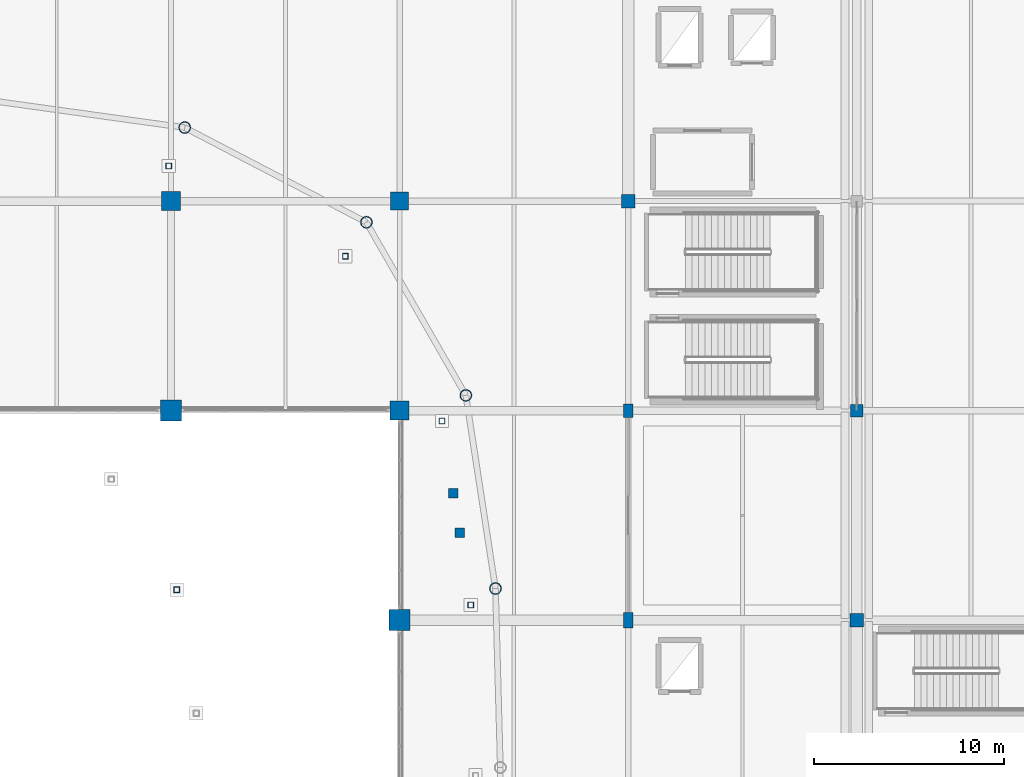
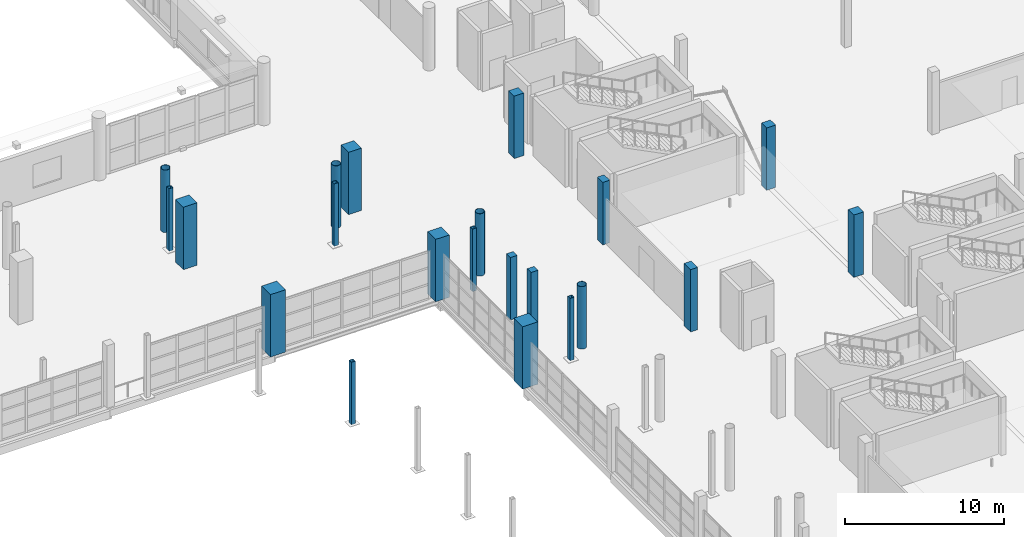
# One storey, part 18 of 143: 21 columns.
"""IFC4 building model written with IfcOpenShell, lengths in metres."""

from ifc_helpers import new_model, si_unit, direction, frame, origin, origin_2d, place, context, subcontext, project, spatial, rectangle, hollow_rectangle, hollow_circle, extrude, material, material_profile, profile_set, type_object, element, save


model = new_model("IFC4")

# Units and contexts
model_context = context("Model", 3, precision=1e-05, world=origin(), true_north=direction((0.0, 1.0)))
body_context = subcontext(model_context, "Body", "Model", "MODEL_VIEW")
ifc_project = project(units=[si_unit("LENGTHUNIT", "METRE"), si_unit("AREAUNIT", "SQUARE_METRE"), si_unit("VOLUMEUNIT", "CUBIC_METRE"), si_unit("PLANEANGLEUNIT", "RADIAN"), si_unit("MASSUNIT", "GRAM", prefix="KILO")], contexts=[model_context])

# Site, building, storey
site_placement = place(None, origin())
site = spatial("IfcSite", under=ifc_project, at=site_placement, CompositionType="ELEMENT")
building_placement = place(site_placement, origin())
building = spatial("IfcBuilding", under=site, at=building_placement, Name="Luwafu Chhajja Arena", CompositionType="ELEMENT")
storey_placement = place(building_placement, frame((0.0, 0.0, 5.39990234375)))
storey = spatial("IfcBuildingStorey", under=building, at=storey_placement, Name="L01", CompositionType="ELEMENT", Elevation=5.39990234375)

# Columns
ifc_material_1 = material(Name="Concrete C35/45", Category="concrete")
ifc_material_profile_1 = material_profile(ifc_material_1, rectangle(XDim=0.5, YDim=0.800048828125, at=origin_2d()), Name="RC 500x800")
ifc_profile_set_1 = profile_set([ifc_material_profile_1], Name="Concrete C35/45")
column_type_1 = type_object("IfcColumnType", Name="BOH Frame Column RC 500x800", PredefinedType="COLUMN", material=ifc_profile_set_1)
column_1_placement = place(storey_placement, frame((152.0, 66.0, 0.0), z_axis=(0.0, 0.0, 1.0), x_axis=(1.0, 0.0, 0.0)))
element("IfcColumn", 1, at=column_1_placement, inside=storey, type_object=column_type_1, Name="L01 Grid Column 14/G", PredefinedType="COLUMN", context=body_context, shape_type="SweptSolid", body=[
    extrude(rectangle(XDim=0.5, YDim=0.800048828125, at=origin_2d()), origin(), (0.0, 0.0, 1.0), 4.800048828125),
])
ifc_material_2 = material(Name="Concrete C40/50", Category="concrete")
ifc_material_profile_2 = material_profile(ifc_material_2, rectangle(XDim=1.0, YDim=1.0, at=origin_2d()), Name="RC 1000x1000")
ifc_profile_set_2 = profile_set([ifc_material_profile_2], Name="Concrete C40/50")
column_type_2 = type_object("IfcColumnType", Name="Bowl Primary Column RC 1000", PredefinedType="COLUMN", material=ifc_profile_set_2)
for number, where, z_axis, x_axis, name in (
    (2, (128.0, 88.0, 0.0), (0.0, 0.0, 1.0), (1.0, 0.0, 0.0), "L01 Grid Column 12/J"),
    (3, (140.0, 77.0, 0.0), (0.0, 0.0, 1.0), (1.0, 0.0, 0.0), "L01 Grid Column 13/H"),
):
    element("IfcColumn", number, at=place(storey_placement, frame(where, z_axis=z_axis, x_axis=x_axis)), inside=storey, type_object=column_type_2, Name=name, PredefinedType="COLUMN", context=body_context, shape_type="SweptSolid", body=[
        extrude(rectangle(XDim=1.0, YDim=1.0, at=origin_2d()), origin(), (0.0, 0.0, 1.0), 4.800048828125),
    ])
ifc_material_profile_3 = material_profile(ifc_material_2, rectangle(XDim=0.949951171875, YDim=0.949951171875, at=origin_2d()), Name="RC 950x950")
ifc_profile_set_3 = profile_set([ifc_material_profile_3], Name="Concrete C40/50")
column_type_3 = type_object("IfcColumnType", Name="Bowl Raker Support Column RC 950", PredefinedType="COLUMN", material=ifc_profile_set_3)
column_2_placement = place(storey_placement, frame((140.0, 88.0, 0.0), z_axis=(0.0, 0.0, 1.0), x_axis=(1.0, 0.0, 0.0)))
element("IfcColumn", 4, at=column_2_placement, inside=storey, type_object=column_type_3, Name="L01 Grid Column 13/J", PredefinedType="COLUMN", context=body_context, shape_type="SweptSolid", body=[
    extrude(rectangle(XDim=0.949951171875, YDim=0.949951171875, at=origin_2d()), origin(), (0.0, 0.0, 1.0), 4.800048828125),
])
ifc_material_profile_4 = material_profile(ifc_material_2, rectangle(XDim=1.10009765625, YDim=1.10009765625, at=origin_2d()), Name="RC 1100x1100")
ifc_profile_set_4 = profile_set([ifc_material_profile_4], Name="Concrete C40/50")
column_type_4 = type_object("IfcColumnType", Name="Bowl Rim Mega Column RC 1100", PredefinedType="COLUMN", material=ifc_profile_set_4)
for number, where, z_axis, x_axis, name in (
    (5, (128.0, 77.0, 0.0), (0.0, 0.0, 1.0), (1.0, 0.0, 0.0), "L01 Grid Column 12/H"),
    (6, (140.0, 66.0, 0.0), (0.0, 0.0, 1.0), (1.0, 0.0, 0.0), "L01 Grid Column 13/G"),
):
    element("IfcColumn", number, at=place(storey_placement, frame(where, z_axis=z_axis, x_axis=x_axis)), inside=storey, type_object=column_type_4, Name=name, PredefinedType="COLUMN", context=body_context, shape_type="SweptSolid", body=[
        extrude(rectangle(XDim=1.10009765625, YDim=1.10009765625, at=origin_2d()), origin(), (0.0, 0.0, 1.0), 4.800048828125),
    ])
ifc_material_profile_5 = material_profile(ifc_material_1, rectangle(XDim=0.5, YDim=0.5, at=origin_2d()), Name="RC 500x500")
ifc_profile_set_5 = profile_set([ifc_material_profile_5], Name="Concrete C35/45")
column_type_5 = type_object("IfcColumnType", Name="Pavilion Column RC 500", PredefinedType="COLUMN", material=ifc_profile_set_5)
for number, where, z_axis, x_axis, name in (
    (7, (143.145751953125, 70.58984375, 0.0), (0.0, 0.0, 1.0), (1.0, 0.0, 0.0), "L01 Vomitory Stack Column VU03A"),
    (8, (142.821044921875, 72.66455078125, 0.0), (0.0, 0.0, 1.0), (1.0, 0.0, 0.0), "L01 Vomitory Stack Column VU03B"),
):
    element("IfcColumn", number, at=place(storey_placement, frame(where, z_axis=z_axis, x_axis=x_axis)), inside=storey, type_object=column_type_5, Name=name, PredefinedType="COLUMN", context=body_context, shape_type="SweptSolid", body=[
        extrude(rectangle(XDim=0.5, YDim=0.5, at=origin_2d()), origin(), (0.0, 0.0, 1.0), 4.800048828125),
    ])
ifc_material_profile_6 = material_profile(ifc_material_1, rectangle(XDim=0.5, YDim=0.699951171875, at=origin_2d()), Name="RC 500x700")
ifc_profile_set_6 = profile_set([ifc_material_profile_6], Name="Concrete C35/45")
column_type_6 = type_object("IfcColumnType", Name="Perimeter Pilaster Column RC 500x700", PredefinedType="COLUMN", material=ifc_profile_set_6)
column_3_placement = place(storey_placement, frame((152.0, 77.0, 0.0), z_axis=(0.0, 0.0, 1.0), x_axis=(1.0, 0.0, 0.0)))
element("IfcColumn", 9, at=column_3_placement, inside=storey, type_object=column_type_6, Name="L01 Grid Column 14/H", PredefinedType="COLUMN", context=body_context, shape_type="SweptSolid", body=[
    extrude(rectangle(XDim=0.5, YDim=0.699951171875, at=origin_2d()), origin(), (0.0, 0.0, 1.0), 4.800048828125),
])
ifc_material_3 = material(Name="Steel S355", Category="steel")
ifc_material_profile_7 = material_profile(ifc_material_3, hollow_circle(Radius=0.304931640625, WallThickness=0.02490234375, at=origin_2d()), Name="CHS 610x25")
ifc_profile_set_7 = profile_set([ifc_material_profile_7], Name="Steel S355")
column_type_7 = type_object("IfcColumnType", Name="Steel Bowl Drum Column CHS 610", PredefinedType="COLUMN", material=ifc_profile_set_7)
for number, where, z_axis, x_axis, name in (
    (10, (145.031982421875, 67.6611328125, 0.0), (0.0, 0.0, 1.0), (1.0, 0.0, 0.0), "L01 Bowl Drum Column D03"),
    (11, (143.47607421875, 77.805908203125, 0.0), (0.0, 0.0, 1.0), (1.0, 0.0, 0.0), "L01 Bowl Drum Column D04"),
    (12, (138.256103515625, 86.890869140625, 0.0), (0.0, 0.0, 1.0), (1.0, 0.0, 0.0), "L01 Bowl Drum Column D05"),
    (13, (128.718017578125, 91.86279296875, 0.0), (0.0, 0.0, 1.0), (1.0, 0.0, 0.0), "L01 Bowl Drum Column D06"),
):
    element("IfcColumn", number, at=place(storey_placement, frame(where, z_axis=z_axis, x_axis=x_axis)), inside=storey, type_object=column_type_7, Name=name, PredefinedType="COLUMN", context=body_context, shape_type="SweptSolid", body=[
        extrude(hollow_circle(Radius=0.304931640625, WallThickness=0.02490234375, at=origin_2d()), origin(), (0.0, 0.0, 1.0), 4.800048828125),
    ])
ifc_material_profile_8 = material_profile(ifc_material_3, hollow_rectangle(XDim=0.300048828125, YDim=0.300048828125, WallThickness=0.01611328125, at=origin_2d()), Name="SHS 300x300x16")
ifc_profile_set_8 = profile_set([ifc_material_profile_8], Name="Steel S355")
column_type_8 = type_object("IfcColumnType", Name="Steel Gallery Post SHS 300", PredefinedType="COLUMN", material=ifc_profile_set_8)
for number, where, z_axis, x_axis, name in (
    (14, (128.298583984375, 67.600341796875, 0.0), (0.0, 0.0, 1.0), (1.0, 0.0, 0.0), "L01 Upper Bowl Raker Column UI04"),
    (15, (143.739501953125, 66.79638671875, 0.0), (0.0, 0.0, 1.0), (1.0, 0.0, 0.0), "L01 Upper Bowl Raker Column UO03"),
    (16, (142.227294921875, 76.4580078125, 0.0), (0.0, 0.0, 1.0), (1.0, 0.0, 0.0), "L01 Upper Bowl Raker Column UO04"),
    (17, (137.15380859375, 85.1103515625, 0.0), (0.0, 0.0, 1.0), (1.0, 0.0, 0.0), "L01 Upper Bowl Raker Column UO05"),
    (18, (127.883544921875, 89.845458984375, 0.0), (0.0, 0.0, 1.0), (1.0, 0.0, 0.0), "L01 Upper Bowl Raker Column UO06"),
):
    element("IfcColumn", number, at=place(storey_placement, frame(where, z_axis=z_axis, x_axis=x_axis)), inside=storey, type_object=column_type_8, Name=name, PredefinedType="COLUMN", context=body_context, shape_type="SweptSolid", body=[
        extrude(hollow_rectangle(XDim=0.300048828125, YDim=0.300048828125, WallThickness=0.01611328125, at=origin_2d()), origin(), (0.0, 0.0, 1.0), 4.800048828125),
    ])
ifc_material_profile_9 = material_profile(ifc_material_1, rectangle(XDim=0.64990234375, YDim=0.64990234375, at=origin_2d()), Name="RC 650x650")
ifc_profile_set_9 = profile_set([ifc_material_profile_9], Name="Concrete C35/45")
column_type_9 = type_object("IfcColumnType", Name="Upper Wing Column RC 650", PredefinedType="COLUMN", material=ifc_profile_set_9)
column_4_placement = place(storey_placement, frame((164.0, 77.0, 0.0), z_axis=(0.0, 0.0, 1.0), x_axis=(1.0, 0.0, 0.0)))
element("IfcColumn", 19, at=column_4_placement, inside=storey, type_object=column_type_9, Name="L01 Grid Column 15/H", PredefinedType="COLUMN", context=body_context, shape_type="SweptSolid", body=[
    extrude(rectangle(XDim=0.64990234375, YDim=0.64990234375, at=origin_2d()), origin(), (0.0, 0.0, 1.0), 4.800048828125),
])
ifc_material_profile_10 = material_profile(ifc_material_1, rectangle(XDim=0.699951171875, YDim=0.699951171875, at=origin_2d()), Name="RC 700x700")
ifc_profile_set_10 = profile_set([ifc_material_profile_10], Name="Concrete C35/45")
column_type_10 = type_object("IfcColumnType", Name="Wing Frame Column RC 700", PredefinedType="COLUMN", material=ifc_profile_set_10)
for number, where, z_axis, x_axis, name in (
    (20, (152.0, 88.0, 0.0), (0.0, 0.0, 1.0), (1.0, 0.0, 0.0), "L01 Grid Column 14/J"),
    (21, (164.0, 66.0, 0.0), (0.0, 0.0, 1.0), (1.0, 0.0, 0.0), "L01 Grid Column 15/G"),
):
    element("IfcColumn", number, at=place(storey_placement, frame(where, z_axis=z_axis, x_axis=x_axis)), inside=storey, type_object=column_type_10, Name=name, PredefinedType="COLUMN", context=body_context, shape_type="SweptSolid", body=[
        extrude(rectangle(XDim=0.699951171875, YDim=0.699951171875, at=origin_2d()), origin(), (0.0, 0.0, 1.0), 4.800048828125),
    ])

save(model, "model.ifc")
